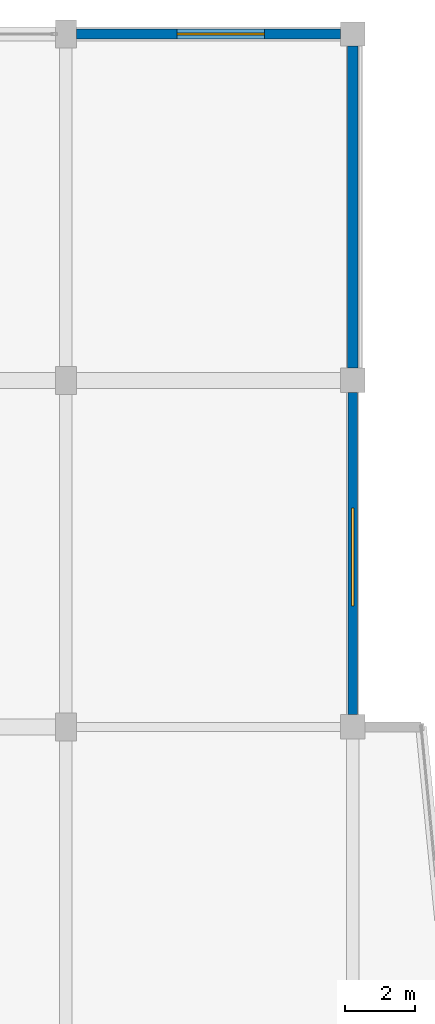
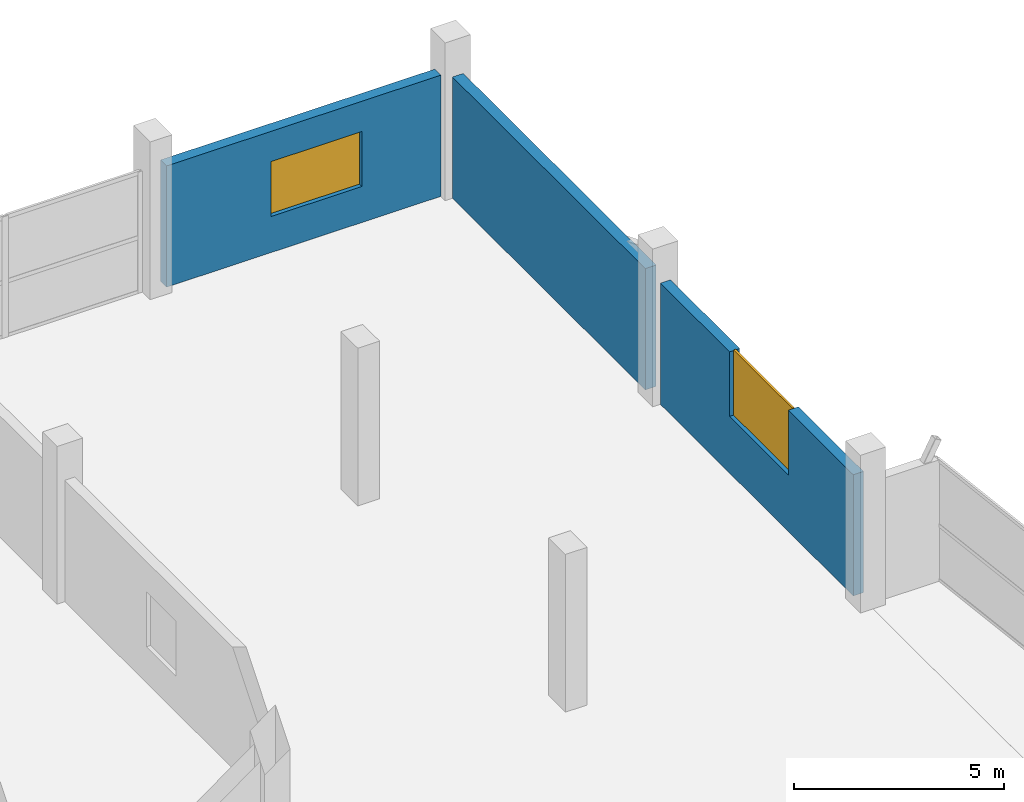
# One storey, part 44 of 55: 3 walls, 2 windows, 2 openings.
"""IFC4 building model written with IfcOpenShell, lengths in metres."""

from ifc_helpers import new_model, si_unit, direction, frame, frame_2d, origin, place, context, subcontext, project, spatial, rectangle, extrude, material, layer, layer_set, type_object, element, fill, save


model = new_model("IFC4")

# Units and contexts
model_context = context("Model", 3, precision=1e-05, world=origin(), true_north=direction((0.0, 1.0)))
body_context = subcontext(model_context, "Body", "Model", "MODEL_VIEW")
ifc_project = project(units=[si_unit("LENGTHUNIT", "METRE"), si_unit("AREAUNIT", "SQUARE_METRE"), si_unit("VOLUMEUNIT", "CUBIC_METRE"), si_unit("PLANEANGLEUNIT", "RADIAN"), si_unit("MASSUNIT", "GRAM", prefix="KILO")], contexts=[model_context])

# Site, building, storey
site_placement = place(None, origin())
site = spatial("IfcSite", under=ifc_project, at=site_placement, CompositionType="ELEMENT")
building_placement = place(site_placement, origin())
building = spatial("IfcBuilding", under=site, at=building_placement, Name="Sillaruma Civic Art Gallery", CompositionType="ELEMENT")
storey_placement = place(building_placement, frame((0.0, 0.0, 37.739990234375)))
storey = spatial("IfcBuildingStorey", under=building, at=storey_placement, Name="L07", CompositionType="ELEMENT", Elevation=37.739990234375)

# Wall, opening, window
ifc_material_1 = material(Name="Concrete H35 (35 MPa)", Category="concrete")
ifc_layer_1 = layer(ifc_material_1, 0.159912109375, Name="Concrete backup", Category="concrete")
ifc_material_2 = material(Name="Mineral Wool Thermal Insulation", Category="insulation")
ifc_layer_2 = layer(ifc_material_2, 0.090087890625, Name="Thermal insulation", Category="insulation")
ifc_material_3 = material(Name="Anodised Zinc-Aluminium Alloy", Category="aluminium")
ifc_layer_3 = layer(ifc_material_3, 0.030029296875, Name="Rainscreen finish", Category="aluminium")
ifc_layer_set_1 = layer_set([ifc_layer_1, ifc_layer_2, ifc_layer_3], Name="W-EXT-280")
wall_type_1 = type_object("IfcWallType", Name="WAL-EXT-280", PredefinedType="SOLIDWALL", material=ifc_layer_set_1)
wall_1_placement = place(storey_placement, frame((114.39990234375, 79.550048828125, 0.0), z_axis=(0.0, 0.0, 1.0), x_axis=(0.0, 1.0, 0.0)))
wall_1 = element("IfcWall", 1, at=wall_1_placement, inside=storey, type_object=wall_type_1, Name="Exterior Wall W-EXT-280 (EW-L07-E-7)", PredefinedType="SOLIDWALL", context=body_context, shape_type="SweptSolid", body=[
    extrude(rectangle(XDim=9.199951171875, YDim=0.280029296875, at=frame_2d((4.60009765625, 0.0))), origin(), (0.0, 0.0, 1.0), 3.530029296875),
])
opening_1_placement = place(wall_1_placement, frame((3.10009765625, 0.0, 1.64990234375)))
opening_1 = element("IfcOpeningElement", 2, at=opening_1_placement, cuts=wall_1, Name="Opening WN-09", PredefinedType="OPENING", context=body_context, shape_type="SweptSolid", body=[
    extrude(rectangle(XDim=2.800048828125, YDim=1.89990234375, at=frame_2d((1.39990234375, 0.949951171875))), frame((0.0, 0.14990234375, 0.0), z_axis=(0.0, -1.0, 0.0), x_axis=(1.0, 0.0, 0.0)), (0.0, 0.0, 1.0), 0.300048828125),
])
ifc_material_4 = material(Name="Thermally Broken Extruded Aluminium 6063-T6", Category="aluminium")
window_type_1 = type_object("IfcWindowType", Name="WIN-W09", PartitioningType="SINGLE_PANEL", PredefinedType="WINDOW", material=ifc_material_4)
window_1_placement = place(opening_1_placement, origin())
window_1 = element("IfcWindow", 3, at=window_1_placement, inside=storey, type_object=window_type_1, Name="Window WN-09 (EW-L07-E-7-1)", OverallHeight=1.89990234375, OverallWidth=2.800048828125, PartitioningType="SINGLE_PANEL", PredefinedType="WINDOW", context=body_context, shape_type="SweptSolid", body=[
    extrude(rectangle(XDim=2.800048828125, YDim=1.89990234375, at=frame_2d((1.39990234375, 0.949951171875))), frame((0.0, 0.030029296875, 0.0), z_axis=(0.0, -1.0, 0.0), x_axis=(1.0, 0.0, 0.0)), (0.0, 0.0, 1.0), 0.06005859375),
])
fill(opening_1, window_1)

ifc_layer_4 = layer(ifc_material_1, 0.169921875, Name="Concrete backup", Category="concrete")
ifc_layer_5 = layer(ifc_material_2, 0.090087890625, Name="Thermal insulation", Category="insulation")
ifc_layer_6 = layer(ifc_material_3, 0.030029296875, Name="Rainscreen finish", Category="aluminium")
ifc_layer_set_2 = layer_set([ifc_layer_4, ifc_layer_5, ifc_layer_6], Name="W-EXT-290")
wall_type_2 = type_object("IfcWallType", Name="WAL-EXT-290", PredefinedType="SOLIDWALL", material=ifc_layer_set_2)
wall_2_placement = place(storey_placement, frame((106.5, 99.0, 0.0), z_axis=(0.0, 0.0, 1.0), x_axis=(1.0, 0.0, 0.0)))
wall_2 = element("IfcWall", 4, at=wall_2_placement, inside=storey, type_object=wall_type_2, Name="Exterior Wall W-EXT-290 (EW-L07-N-7)", PredefinedType="SOLIDWALL", context=body_context, shape_type="SweptSolid", body=[
    extrude(rectangle(XDim=7.550048828125, YDim=0.2900390625, at=frame_2d((3.77490234375, 0.0))), origin(), (0.0, 0.0, 1.0), 3.530029296875),
])
opening_2_placement = place(wall_2_placement, frame((2.875, 0.0, 1.050048828125)))
opening_2 = element("IfcOpeningElement", 5, at=opening_2_placement, cuts=wall_2, Name="Opening WN-11", PredefinedType="OPENING", context=body_context, shape_type="SweptSolid", body=[
    extrude(rectangle(XDim=2.5, YDim=1.60009765625, at=frame_2d((1.25, 0.800048828125))), frame((0.0, 0.155029296875, 0.0), z_axis=(0.0, -1.0, 0.0), x_axis=(1.0, 0.0, 0.0)), (0.0, 0.0, 1.0), 0.31005859375),
])
window_type_2 = type_object("IfcWindowType", Name="WIN-W11", PartitioningType="SINGLE_PANEL", PredefinedType="WINDOW", material=ifc_material_4)
window_2_placement = place(opening_2_placement, origin())
window_2 = element("IfcWindow", 6, at=window_2_placement, inside=storey, type_object=window_type_2, Name="Window WN-11 (EW-L07-N-7-1)", OverallHeight=1.60009765625, OverallWidth=2.5, PartitioningType="SINGLE_PANEL", PredefinedType="WINDOW", context=body_context, shape_type="SweptSolid", body=[
    extrude(rectangle(XDim=2.5, YDim=1.60009765625, at=frame_2d((1.25, 0.800048828125))), frame((0.0, 0.030029296875, 0.0), z_axis=(0.0, -1.0, 0.0), x_axis=(1.0, 0.0, 0.0)), (0.0, 0.0, 1.0), 0.06005859375),
])
fill(opening_2, window_2)

# Wall
ifc_material_5 = material(Name="Precast Concrete H35 (35 MPa)", Category="concrete")
ifc_layer_7 = layer(ifc_material_5, 0.179931640625, Name="Precast backup", Category="concrete")
ifc_layer_8 = layer(ifc_material_2, 0.090087890625, Name="Thermal insulation", Category="insulation")
ifc_material_6 = material(Name="Comanche Granitic Ashlar Stone", Category="masonry")
ifc_layer_9 = layer(ifc_material_6, 0.030029296875, Name="Rainscreen cladding", Category="masonry")
ifc_layer_set_3 = layer_set([ifc_layer_7, ifc_layer_8, ifc_layer_9], Name="W-EXT-300")
wall_type_3 = type_object("IfcWallType", Name="WAL-EXT-300", PredefinedType="SOLIDWALL", material=ifc_layer_set_3)
wall_3_placement = place(storey_placement, frame((114.39990234375, 89.449951171875, 0.0), z_axis=(0.0, 0.0, 1.0), x_axis=(0.0, 1.0, 0.0)))
element("IfcWall", 7, at=wall_3_placement, inside=storey, type_object=wall_type_3, Name="Exterior Wall W-EXT-300 (EW-L07-E-8)", PredefinedType="SOLIDWALL", context=body_context, shape_type="SweptSolid", body=[
    extrude(rectangle(XDim=9.199951171875, YDim=0.300048828125, at=frame_2d((4.60009765625, 0.0))), origin(), (0.0, 0.0, 1.0), 3.530029296875),
])

save(model, "model.ifc")
